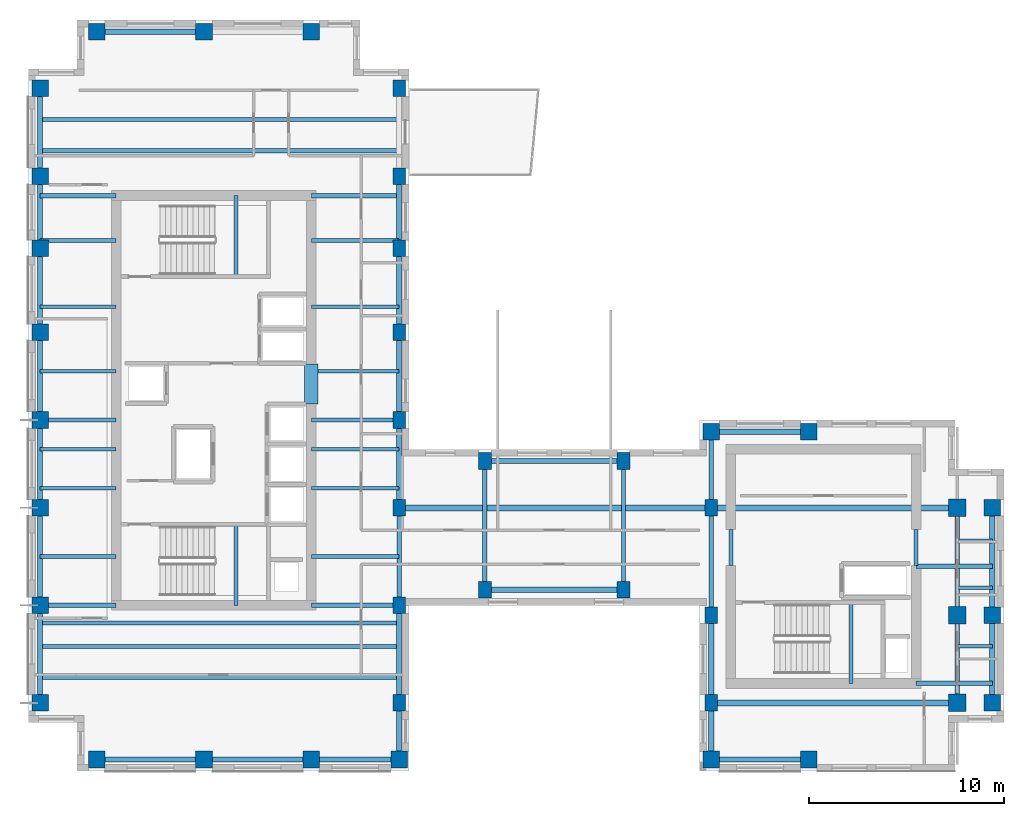
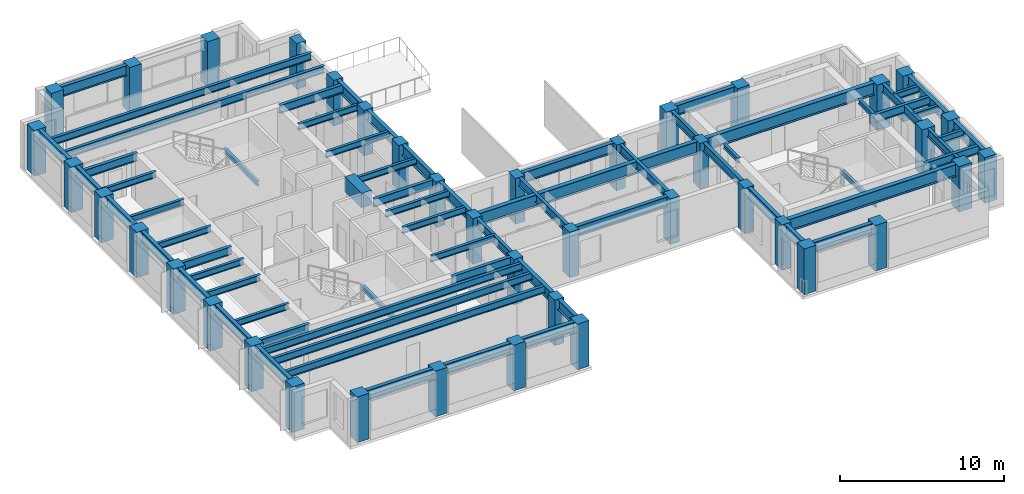
# One storey, part 1 of 10: 69 beams, 40 columns.
"""IFC4 building model written with IfcOpenShell, lengths in metres."""

from ifc_helpers import new_model, si_unit, direction, frame, origin, origin_2d, place, context, subcontext, project, spatial, rectangle, i_section, extrude, source, transform, mapped, material, material_profile, profile_set, type_object, element, save


model = new_model("IFC4")

# Units and contexts
model_context = context("Model", 3, precision=1e-05, world=origin(), true_north=direction((0.0, 1.0)))
body_context = subcontext(model_context, "Body", "Model", "MODEL_VIEW")
ifc_project = project(units=[si_unit("LENGTHUNIT", "METRE"), si_unit("AREAUNIT", "SQUARE_METRE"), si_unit("VOLUMEUNIT", "CUBIC_METRE"), si_unit("PLANEANGLEUNIT", "RADIAN"), si_unit("MASSUNIT", "GRAM", prefix="KILO")], contexts=[model_context])

# Site, building, storey
site_placement = place(None, origin())
site = spatial("IfcSite", under=ifc_project, at=site_placement, CompositionType="ELEMENT")
building_placement = place(site_placement, origin())
building = spatial("IfcBuilding", under=site, at=building_placement, Name="Kharzan Plaza Tower", CompositionType="ELEMENT")
storey_placement = place(building_placement, frame((0.0, 0.0, 223.199951171875)))
storey = spatial("IfcBuildingStorey", under=building, at=storey_placement, Name="L60", CompositionType="ELEMENT", Elevation=223.199951171875)

# Columns
ifc_material_1 = material(Name="Concrete C50/60", Category="concrete")
ifc_material_profile_1 = material_profile(ifc_material_1, rectangle(XDim=0.89990234375, YDim=0.89990234375, at=origin_2d()), Name="RC-IC900x900")
ifc_profile_set_1 = profile_set([ifc_material_profile_1], Name="Concrete C50/60")
column_type_1 = type_object("IfcColumnType", Name="COL-IC900", PredefinedType="COLUMN", material=ifc_profile_set_1)
shared_shape_1 = source(origin(), body_context, "Body", "SweptSolid", [
    extrude(rectangle(XDim=0.89990234375, YDim=0.89990234375, at=origin_2d()), origin(), (0.0, 0.0, 1.0), 3.400146484375),
])
for number, where, z_axis, x_axis, name in (
    (1, (47.60009765625, 13.5, 0.0), (0.0, 0.0, 1.0), (1.0, 0.0, 0.0), "L60 Structural Column TCBI-135"),
    (2, (47.60009765625, 3.5, 0.0), (0.0, 0.0, 1.0), (1.0, 0.0, 0.0), "L60 Structural Column TCBI-35"),
    (3, (47.60009765625, 8.0, 0.0), (0.0, 0.0, 1.0), (1.0, 0.0, 0.0), "L60 Structural Column TCBI-80"),
):
    element("IfcColumn", number, at=place(storey_placement, frame(where, z_axis=z_axis, x_axis=x_axis)), inside=storey, type_object=column_type_1, Name=name, PredefinedType="COLUMN", context=body_context, shape_type="MappedRepresentation", body=[
        mapped(shared_shape_1, transform((0.0, 0.0, 0.0), x_axis=(1.0, 0.0, 0.0), y_axis=(0.0, 1.0, 0.0), z_axis=(0.0, 0.0, 1.0))),
    ])
ifc_material_profile_2 = material_profile(ifc_material_1, rectangle(XDim=0.64990234375, YDim=0.85009765625, at=origin_2d()), Name="RC-SC850x650")
ifc_profile_set_2 = profile_set([ifc_material_profile_2], Name="Concrete C50/60")
column_type_2 = type_object("IfcColumnType", Name="COL-SC850", PredefinedType="COLUMN", material=ifc_profile_set_2)
shared_shape_2 = source(origin(), body_context, "Body", "SweptSolid", [
    extrude(rectangle(XDim=0.64990234375, YDim=0.85009765625, at=origin_2d()), origin(), (0.0, 0.0, 1.0), 3.400146484375),
])
for number, where, z_axis, x_axis, name in (
    (4, (19.0, 13.5, 0.0), (0.0, 0.0, 1.0), (1.0, 0.0, 0.0), "L60 Structural Column TCA-135"),
    (5, (19.0, 18.0, 0.0), (0.0, 0.0, 1.0), (1.0, 0.0, 0.0), "L60 Structural Column TCA-180"),
    (6, (19.0, 22.5, 0.0), (0.0, 0.0, 1.0), (1.0, 0.0, 0.0), "L60 Structural Column TCA-225"),
    (7, (19.0, 26.800048828125, 0.0), (0.0, 0.0, 1.0), (1.0, 0.0, 0.0), "L60 Structural Column TCA-268"),
    (8, (19.0, 30.5, 0.0), (0.0, 0.0, 1.0), (1.0, 0.0, 0.0), "L60 Structural Column TCA-305"),
    (9, (19.0, 3.5, 0.0), (0.0, 0.0, 1.0), (1.0, 0.0, 0.0), "L60 Structural Column TCA-35"),
    (10, (19.0, 35.0, 0.0), (0.0, 0.0, 1.0), (1.0, 0.0, 0.0), "L60 Structural Column TCA-350"),
    (11, (19.0, 8.5, 0.0), (0.0, 0.0, 1.0), (1.0, 0.0, 0.0), "L60 Structural Column TCA-85"),
    (12, (35.0, 13.5, 0.0), (0.0, 0.0, 1.0), (1.0, 0.0, 0.0), "L60 Structural Column TCBS-135"),
    (13, (35.0, 3.5, 0.0), (0.0, 0.0, 1.0), (1.0, 0.0, 0.0), "L60 Structural Column TCBS-35"),
    (14, (35.0, 8.0, 0.0), (0.0, 0.0, 1.0), (1.0, 0.0, 0.0), "L60 Structural Column TCBS-80"),
    (15, (23.39990234375, 15.89990234375, 0.0), (0.0, 0.0, 1.0), (1.0, 0.0, 0.0), "L60 Structural Column TCSP-234-159"),
    (16, (23.39990234375, 9.300048828125, 0.0), (0.0, 0.0, 1.0), (1.0, 0.0, 0.0), "L60 Structural Column TCSP-234-93"),
    (17, (30.5, 15.89990234375, 0.0), (0.0, 0.0, 1.0), (1.0, 0.0, 0.0), "L60 Structural Column TCSP-305-159"),
    (18, (30.5, 9.300048828125, 0.0), (0.0, 0.0, 1.0), (1.0, 0.0, 0.0), "L60 Structural Column TCSP-305-93"),
):
    element("IfcColumn", number, at=place(storey_placement, frame(where, z_axis=z_axis, x_axis=x_axis)), inside=storey, type_object=column_type_2, Name=name, PredefinedType="COLUMN", context=body_context, shape_type="MappedRepresentation", body=[
        mapped(shared_shape_2, transform((0.0, 0.0, 0.0), x_axis=(1.0, 0.0, 0.0), y_axis=(0.0, 1.0, 0.0), z_axis=(0.0, 0.0, 1.0))),
    ])
ifc_material_profile_3 = material_profile(ifc_material_1, rectangle(XDim=0.85009765625, YDim=0.85009765625, at=origin_2d()), Name="RC-TC850x850")
ifc_profile_set_3 = profile_set([ifc_material_profile_3], Name="Concrete C50/60")
column_type_3 = type_object("IfcColumnType", Name="COL-TC850", PredefinedType="COLUMN", material=ifc_profile_set_3)
shared_shape_3 = source(origin(), body_context, "Body", "SweptSolid", [
    extrude(rectangle(XDim=0.85009765625, YDim=0.85009765625, at=origin_2d()), origin(), (0.0, 0.0, 1.0), 3.400146484375),
])
for number, where, z_axis, x_axis, name in (
    (19, (35.0, 17.39990234375, 0.0), (0.0, 0.0, 1.0), (1.0, 0.0, 0.0), "L60 Structural Column TCBN-350-174"),
    (20, (40.0, 17.39990234375, 0.0), (0.0, 0.0, 1.0), (1.0, 0.0, 0.0), "L60 Structural Column TCBN-400-174"),
    (21, (49.39990234375, 13.5, 0.0), (0.0, 0.0, 1.0), (1.0, 0.0, 0.0), "L60 Structural Column TCE-494-135"),
    (22, (49.39990234375, 3.5, 0.0), (0.0, 0.0, 1.0), (1.0, 0.0, 0.0), "L60 Structural Column TCE-494-35"),
    (23, (49.39990234375, 8.0, 0.0), (0.0, 0.0, 1.0), (1.0, 0.0, 0.0), "L60 Structural Column TCE-494-80"),
    (24, (14.5, 37.89990234375, 0.0), (0.0, 0.0, 1.0), (1.0, 0.0, 0.0), "L60 Structural Column TCN-145-379"),
    (25, (3.5, 37.89990234375, 0.0), (0.0, 0.0, 1.0), (1.0, 0.0, 0.0), "L60 Structural Column TCN-35-379"),
    (26, (9.0, 37.89990234375, 0.0), (0.0, 0.0, 1.0), (1.0, 0.0, 0.0), "L60 Structural Column TCN-90-379"),
    (27, (14.5, 0.60009765625, 0.0), (0.0, 0.0, 1.0), (1.0, 0.0, 0.0), "L60 Structural Column TCS-145"),
    (28, (19.0, 0.60009765625, 0.0), (0.0, 0.0, 1.0), (1.0, 0.0, 0.0), "L60 Structural Column TCS-190"),
    (29, (3.5, 0.60009765625, 0.0), (0.0, 0.0, 1.0), (1.0, 0.0, 0.0), "L60 Structural Column TCS-35"),
    (30, (35.0, 0.60009765625, 0.0), (0.0, 0.0, 1.0), (1.0, 0.0, 0.0), "L60 Structural Column TCS-350"),
    (31, (40.0, 0.60009765625, 0.0), (0.0, 0.0, 1.0), (1.0, 0.0, 0.0), "L60 Structural Column TCS-400"),
    (32, (9.0, 0.60009765625, 0.0), (0.0, 0.0, 1.0), (1.0, 0.0, 0.0), "L60 Structural Column TCS-90"),
    (33, (0.60009765625, 13.5, 0.0), (0.0, 0.0, 1.0), (1.0, 0.0, 0.0), "L60 Structural Column TCW-135"),
    (34, (0.60009765625, 18.0, 0.0), (0.0, 0.0, 1.0), (1.0, 0.0, 0.0), "L60 Structural Column TCW-180"),
    (35, (0.60009765625, 22.5, 0.0), (0.0, 0.0, 1.0), (1.0, 0.0, 0.0), "L60 Structural Column TCW-225"),
    (36, (0.60009765625, 26.800048828125, 0.0), (0.0, 0.0, 1.0), (1.0, 0.0, 0.0), "L60 Structural Column TCW-268"),
    (37, (0.60009765625, 30.5, 0.0), (0.0, 0.0, 1.0), (1.0, 0.0, 0.0), "L60 Structural Column TCW-305"),
    (38, (0.60009765625, 3.5, 0.0), (0.0, 0.0, 1.0), (1.0, 0.0, 0.0), "L60 Structural Column TCW-35"),
    (39, (0.60009765625, 35.0, 0.0), (0.0, 0.0, 1.0), (1.0, 0.0, 0.0), "L60 Structural Column TCW-350"),
    (40, (0.60009765625, 8.5, 0.0), (0.0, 0.0, 1.0), (1.0, 0.0, 0.0), "L60 Structural Column TCW-85"),
):
    element("IfcColumn", number, at=place(storey_placement, frame(where, z_axis=z_axis, x_axis=x_axis)), inside=storey, type_object=column_type_3, Name=name, PredefinedType="COLUMN", context=body_context, shape_type="MappedRepresentation", body=[
        mapped(shared_shape_3, transform((0.0, 0.0, 0.0), x_axis=(1.0, 0.0, 0.0), y_axis=(0.0, 1.0, 0.0), z_axis=(0.0, 0.0, 1.0))),
    ])

# Beams
ifc_material_2 = material(Name="Concrete C60/75", Category="concrete")
ifc_material_profile_4 = material_profile(ifc_material_2, rectangle(XDim=0.699951171875, YDim=1.10009765625, at=origin_2d()), Name="RC-CB1100x700")
ifc_profile_set_4 = profile_set([ifc_material_profile_4], Name="Concrete C60/75")
beam_type_1 = type_object("IfcBeamType", Name="BM-RCCB1100", PredefinedType="LINTEL", material=ifc_profile_set_4)
shared_shape_4 = source(origin(), body_context, "Body", "SweptSolid", [
    extrude(rectangle(XDim=0.699951171875, YDim=1.10009765625, at=origin_2d()), origin(), (0.0, 0.0, 1.0), 2.059814453125),
])
beam_1_placement = place(storey_placement, frame((14.5, 18.820068359375, 2.85009765625), z_axis=(0.0, 1.0, 0.0), x_axis=(-1.0, 0.0, 0.0)))
element("IfcBeam", 41, at=beam_1_placement, inside=storey, type_object=beam_type_1, Name="L60 CORE-A RC coupling beam CB1", PredefinedType="LINTEL", context=body_context, shape_type="MappedRepresentation", body=[
    mapped(shared_shape_4, transform((0.0, 0.0, 0.0), x_axis=(1.0, 0.0, 0.0), y_axis=(0.0, 1.0, 0.0), z_axis=(0.0, 0.0, 1.0))),
])
ifc_material_3 = material(Name="Steel S355", Category="steel")
ifc_material_profile_5 = material_profile(ifc_material_3, i_section(OverallWidth=0.205078125, OverallDepth=0.35400390625, WebThickness=0.009521484375, FlangeThickness=0.016845703125, at=origin_2d()), Name="W360x79")
ifc_profile_set_5 = profile_set([ifc_material_profile_5], Name="Steel S355")
beam_type_2 = type_object("IfcBeamType", Name="BM-LNT360", PredefinedType="LINTEL", material=ifc_profile_set_5)
shared_shape_5 = source(origin(), body_context, "Body", "SweptSolid", [
    extrude(i_section(OverallWidth=0.205078125, OverallDepth=0.35400390625, WebThickness=0.009521484375, FlangeThickness=0.016845703125, at=origin_2d()), origin(), (0.0, 0.0, 1.0), 1.849853515625),
])
for number, where, z_axis, x_axis, name in (
    (42, (45.5, 10.550048828125, 3.22314453125), (0.0, 1.0, 0.0), (-1.0, 0.0, 0.0), "L60 CORE-B coupling lintel LN1-WE"),
    (43, (36.0, 10.550048828125, 3.22314453125), (0.0, 1.0, 0.0), (-1.0, 0.0, 0.0), "L60 CORE-B coupling lintel LN1-WW"),
):
    element("IfcBeam", number, at=place(storey_placement, frame(where, z_axis=z_axis, x_axis=x_axis)), inside=storey, type_object=beam_type_2, Name=name, PredefinedType="LINTEL", context=body_context, shape_type="MappedRepresentation", body=[
        mapped(shared_shape_5, transform((0.0, 0.0, 0.0), x_axis=(1.0, 0.0, 0.0), y_axis=(0.0, 1.0, 0.0), z_axis=(0.0, 0.0, 1.0))),
    ])
shared_shape_6 = source(origin(), body_context, "Body", "SweptSolid", [
    extrude(i_section(OverallWidth=0.205078125, OverallDepth=0.35400390625, WebThickness=0.009521484375, FlangeThickness=0.016845703125, at=origin_2d()), origin(), (0.0, 0.0, 1.0), 4.155029296875),
])
for number, where, z_axis, x_axis, name in (
    (44, (10.64990234375, 8.5, 1.423095703125), (0.0, 1.0, 0.0), (-1.0, 0.0, 0.0), "L60 Stair ST-1 Half-Landing Beam"),
    (45, (10.64990234375, 25.344970703125, 1.423095703125), (0.0, 1.0, 0.0), (-1.0, 0.0, 0.0), "L60 Stair ST-2 Half-Landing Beam"),
    (46, (42.14990234375, 4.5, 1.423095703125), (0.0, 1.0, 0.0), (-1.0, 0.0, 0.0), "L60 Stair ST-3 Half-Landing Beam"),
):
    element("IfcBeam", number, at=place(storey_placement, frame(where, z_axis=z_axis, x_axis=x_axis)), inside=storey, type_object=beam_type_2, Name=name, PredefinedType="LINTEL", context=body_context, shape_type="MappedRepresentation", body=[
        mapped(shared_shape_6, transform((0.0, 0.0, 0.0), x_axis=(1.0, 0.0, 0.0), y_axis=(0.0, 1.0, 0.0), z_axis=(0.0, 0.0, 1.0))),
    ])
ifc_material_profile_6 = material_profile(ifc_material_3, i_section(OverallWidth=0.304931640625, OverallDepth=0.9189453125, WebThickness=0.017333984375, FlangeThickness=0.02783203125, at=origin_2d()), Name="W920x253")
ifc_profile_set_6 = profile_set([ifc_material_profile_6], Name="Steel S355")
beam_type_3 = type_object("IfcBeamType", Name="BM-FG920B", PredefinedType="BEAM", material=ifc_profile_set_6)
shared_shape_7 = source(origin(), body_context, "Body", "SweptSolid", [
    extrude(i_section(OverallWidth=0.304931640625, OverallDepth=0.9189453125, WebThickness=0.017333984375, FlangeThickness=0.02783203125, at=origin_2d()), origin(), (0.0, 0.0, 1.0), 12.60009765625),
])
for number, where, z_axis, x_axis, name in (
    (47, (35.0, 3.5, 2.9404296875), (1.0, 0.0, 0.0), (0.0, 1.0, 0.0), "L60 Primary Floor Girder"),
    (48, (35.0, 13.5, 2.9404296875), (1.0, 0.0, 0.0), (0.0, 1.0, 0.0), "L60 Primary Floor Girder"),
):
    element("IfcBeam", number, at=place(storey_placement, frame(where, z_axis=z_axis, x_axis=x_axis)), inside=storey, type_object=beam_type_3, Name=name, PredefinedType="BEAM", context=body_context, shape_type="MappedRepresentation", body=[
        mapped(shared_shape_7, transform((0.0, 0.0, 0.0), x_axis=(1.0, 0.0, 0.0), y_axis=(0.0, 1.0, 0.0), z_axis=(0.0, 0.0, 1.0))),
    ])
shared_shape_8 = source(origin(), body_context, "Body", "SweptSolid", [
    extrude(i_section(OverallWidth=0.304931640625, OverallDepth=0.9189453125, WebThickness=0.017333984375, FlangeThickness=0.02783203125, at=origin_2d()), origin(), (0.0, 0.0, 1.0), 16.0),
])
beam_2_placement = place(storey_placement, frame((19.0, 13.5, 2.9404296875), z_axis=(1.0, 0.0, 0.0), x_axis=(0.0, 1.0, 0.0)))
element("IfcBeam", 49, at=beam_2_placement, inside=storey, type_object=beam_type_3, Name="L60 Primary Floor Girder", PredefinedType="BEAM", context=body_context, shape_type="MappedRepresentation", body=[
    mapped(shared_shape_8, transform((0.0, 0.0, 0.0), x_axis=(1.0, 0.0, 0.0), y_axis=(0.0, 1.0, 0.0), z_axis=(0.0, 0.0, 1.0))),
])
ifc_material_profile_7 = material_profile(ifc_material_3, i_section(OverallWidth=0.2099609375, OverallDepth=0.537109375, WebThickness=0.010986328125, FlangeThickness=0.017333984375, at=origin_2d()), Name="W530x101")
ifc_profile_set_7 = profile_set([ifc_material_profile_7], Name="Steel S355")
beam_type_4 = type_object("IfcBeamType", Name="BM-JST530B", PredefinedType="JOIST", material=ifc_profile_set_7)
shared_shape_9 = source(origin(), body_context, "Body", "SweptSolid", [
    extrude(i_section(OverallWidth=0.2099609375, OverallDepth=0.537109375, WebThickness=0.010986328125, FlangeThickness=0.017333984375, at=origin_2d()), origin(), (0.0, 0.0, 1.0), 18.39990234375),
])
for number, where, z_axis, x_axis, name in (
    (50, (0.60009765625, 4.800048828125, 3.131591796875), (1.0, 0.0, 0.0), (0.0, 1.0, 0.0), "L60 Wing A Composite Joist 01"),
    (51, (0.60009765625, 6.39990234375, 3.131591796875), (1.0, 0.0, 0.0), (0.0, 1.0, 0.0), "L60 Wing A Composite Joist 02"),
    (52, (0.60009765625, 7.60009765625, 3.131591796875), (1.0, 0.0, 0.0), (0.0, 1.0, 0.0), "L60 Wing A Composite Joist 03"),
    (53, (0.60009765625, 31.800048828125, 3.131591796875), (1.0, 0.0, 0.0), (0.0, 1.0, 0.0), "L60 Wing A Composite Joist 04"),
    (54, (0.60009765625, 33.39990234375, 3.131591796875), (1.0, 0.0, 0.0), (0.0, 1.0, 0.0), "L60 Wing A Composite Joist 05"),
):
    element("IfcBeam", number, at=place(storey_placement, frame(where, z_axis=z_axis, x_axis=x_axis)), inside=storey, type_object=beam_type_4, Name=name, PredefinedType="JOIST", context=body_context, shape_type="MappedRepresentation", body=[
        mapped(shared_shape_9, transform((0.0, 0.0, 0.0), x_axis=(1.0, 0.0, 0.0), y_axis=(0.0, 1.0, 0.0), z_axis=(0.0, 0.0, 1.0))),
    ])
ifc_material_profile_8 = material_profile(ifc_material_3, i_section(OverallWidth=0.194091796875, OverallDepth=0.468994140625, WebThickness=0.011474609375, FlangeThickness=0.0205078125, at=origin_2d()), Name="W460x106")
ifc_profile_set_8 = profile_set([ifc_material_profile_8], Name="Steel S355")
beam_type_5 = type_object("IfcBeamType", Name="BM-JST460", PredefinedType="JOIST", material=ifc_profile_set_8)
shared_shape_10 = source(origin(), body_context, "Body", "SweptSolid", [
    extrude(i_section(OverallWidth=0.194091796875, OverallDepth=0.468994140625, WebThickness=0.011474609375, FlangeThickness=0.0205078125, at=origin_2d()), origin(), (0.0, 0.0, 1.0), 4.5),
])
for number, where, z_axis, x_axis, name in (
    (55, (14.5, 11.0, 3.16552734375), (1.0, 0.0, 0.0), (0.0, 1.0, 0.0), "L60 Wing A East Infill Joist 1"),
    (56, (14.5, 14.5, 3.16552734375), (1.0, 0.0, 0.0), (0.0, 1.0, 0.0), "L60 Wing A East Infill Joist 2"),
    (57, (14.5, 16.5, 3.16552734375), (1.0, 0.0, 0.0), (0.0, 1.0, 0.0), "L60 Wing A East Infill Joist 3"),
    (58, (14.5, 20.5, 3.16552734375), (1.0, 0.0, 0.0), (0.0, 1.0, 0.0), "L60 Wing A East Infill Joist 4"),
    (59, (14.5, 23.800048828125, 3.16552734375), (1.0, 0.0, 0.0), (0.0, 1.0, 0.0), "L60 Wing A East Infill Joist 5"),
    (60, (14.5, 27.199951171875, 3.16552734375), (1.0, 0.0, 0.0), (0.0, 1.0, 0.0), "L60 Wing A East Infill Joist 6"),
):
    element("IfcBeam", number, at=place(storey_placement, frame(where, z_axis=z_axis, x_axis=x_axis)), inside=storey, type_object=beam_type_5, Name=name, PredefinedType="JOIST", context=body_context, shape_type="MappedRepresentation", body=[
        mapped(shared_shape_10, transform((0.0, 0.0, 0.0), x_axis=(1.0, 0.0, 0.0), y_axis=(0.0, 1.0, 0.0), z_axis=(0.0, 0.0, 1.0))),
    ])
shared_shape_11 = source(origin(), body_context, "Body", "SweptSolid", [
    extrude(i_section(OverallWidth=0.194091796875, OverallDepth=0.468994140625, WebThickness=0.011474609375, FlangeThickness=0.0205078125, at=origin_2d()), origin(), (0.0, 0.0, 1.0), 3.89990234375),
])
for number, where, z_axis, x_axis, name in (
    (61, (0.60009765625, 11.0, 3.16552734375), (1.0, 0.0, 0.0), (0.0, 1.0, 0.0), "L60 Wing A West Infill Joist 1"),
    (62, (0.60009765625, 14.5, 3.16552734375), (1.0, 0.0, 0.0), (0.0, 1.0, 0.0), "L60 Wing A West Infill Joist 2"),
    (63, (0.60009765625, 16.5, 3.16552734375), (1.0, 0.0, 0.0), (0.0, 1.0, 0.0), "L60 Wing A West Infill Joist 3"),
    (64, (0.60009765625, 20.5, 3.16552734375), (1.0, 0.0, 0.0), (0.0, 1.0, 0.0), "L60 Wing A West Infill Joist 4"),
    (65, (0.60009765625, 23.800048828125, 3.16552734375), (1.0, 0.0, 0.0), (0.0, 1.0, 0.0), "L60 Wing A West Infill Joist 5"),
    (66, (0.60009765625, 27.199951171875, 3.16552734375), (1.0, 0.0, 0.0), (0.0, 1.0, 0.0), "L60 Wing A West Infill Joist 6"),
):
    element("IfcBeam", number, at=place(storey_placement, frame(where, z_axis=z_axis, x_axis=x_axis)), inside=storey, type_object=beam_type_5, Name=name, PredefinedType="JOIST", context=body_context, shape_type="MappedRepresentation", body=[
        mapped(shared_shape_11, transform((0.0, 0.0, 0.0), x_axis=(1.0, 0.0, 0.0), y_axis=(0.0, 1.0, 0.0), z_axis=(0.0, 0.0, 1.0))),
    ])
ifc_material_profile_9 = material_profile(ifc_material_3, i_section(OverallWidth=0.22900390625, OverallDepth=0.612060546875, WebThickness=0.011962890625, FlangeThickness=0.01953125, at=origin_2d()), Name="W610x125")
ifc_profile_set_9 = profile_set([ifc_material_profile_9], Name="Steel S355")
beam_type_6 = type_object("IfcBeamType", Name="BM-FG610B", PredefinedType="BEAM", material=ifc_profile_set_9)
shared_shape_12 = source(origin(), body_context, "Body", "SweptSolid", [
    extrude(i_section(OverallWidth=0.22900390625, OverallDepth=0.612060546875, WebThickness=0.011962890625, FlangeThickness=0.01953125, at=origin_2d()), origin(), (0.0, 0.0, 1.0), 4.5),
])
for number, where, z_axis, x_axis, name in (
    (67, (14.5, 8.5, 3.093994140625), (1.0, 0.0, 0.0), (0.0, 1.0, 0.0), "L60 Core-A East Floor Girder 1"),
    (68, (14.5, 18.0, 3.093994140625), (1.0, 0.0, 0.0), (0.0, 1.0, 0.0), "L60 Core-A East Floor Girder 2"),
    (69, (14.5, 29.5, 3.093994140625), (1.0, 0.0, 0.0), (0.0, 1.0, 0.0), "L60 Core-A East Floor Girder 3"),
    (70, (47.60009765625, 3.5, 3.093994140625), (0.0, 1.0, 0.0), (-1.0, 0.0, 0.0), "L60 Interior Frame Girder"),
):
    element("IfcBeam", number, at=place(storey_placement, frame(where, z_axis=z_axis, x_axis=x_axis)), inside=storey, type_object=beam_type_6, Name=name, PredefinedType="BEAM", context=body_context, shape_type="MappedRepresentation", body=[
        mapped(shared_shape_12, transform((0.0, 0.0, 0.0), x_axis=(1.0, 0.0, 0.0), y_axis=(0.0, 1.0, 0.0), z_axis=(0.0, 0.0, 1.0))),
    ])
shared_shape_13 = source(origin(), body_context, "Body", "SweptSolid", [
    extrude(i_section(OverallWidth=0.22900390625, OverallDepth=0.612060546875, WebThickness=0.011962890625, FlangeThickness=0.01953125, at=origin_2d()), origin(), (0.0, 0.0, 1.0), 3.89990234375),
])
for number, where, z_axis, x_axis, name in (
    (71, (0.60009765625, 8.5, 3.093994140625), (1.0, 0.0, 0.0), (0.0, 1.0, 0.0), "L60 Core-A West Floor Girder 1"),
    (72, (0.60009765625, 18.0, 3.093994140625), (1.0, 0.0, 0.0), (0.0, 1.0, 0.0), "L60 Core-A West Floor Girder 2"),
    (73, (0.60009765625, 29.5, 3.093994140625), (1.0, 0.0, 0.0), (0.0, 1.0, 0.0), "L60 Core-A West Floor Girder 3"),
    (74, (45.5, 4.5, 3.093994140625), (1.0, 0.0, 0.0), (0.0, 1.0, 0.0), "L60 Core-B East Floor Girder 1"),
    (75, (45.5, 10.5, 3.093994140625), (1.0, 0.0, 0.0), (0.0, 1.0, 0.0), "L60 Core-B East Floor Girder 2"),
    (76, (35.0, 13.5, 3.093994140625), (0.0, 1.0, 0.0), (-1.0, 0.0, 0.0), "L60 Interior Frame Girder"),
):
    element("IfcBeam", number, at=place(storey_placement, frame(where, z_axis=z_axis, x_axis=x_axis)), inside=storey, type_object=beam_type_6, Name=name, PredefinedType="BEAM", context=body_context, shape_type="MappedRepresentation", body=[
        mapped(shared_shape_13, transform((0.0, 0.0, 0.0), x_axis=(1.0, 0.0, 0.0), y_axis=(0.0, 1.0, 0.0), z_axis=(0.0, 0.0, 1.0))),
    ])
shared_shape_14 = source(origin(), body_context, "Body", "SweptSolid", [
    extrude(i_section(OverallWidth=0.22900390625, OverallDepth=0.612060546875, WebThickness=0.011962890625, FlangeThickness=0.01953125, at=origin_2d()), origin(), (0.0, 0.0, 1.0), 5.0),
])
beam_3_placement = place(storey_placement, frame((19.0, 8.5, 3.093994140625), z_axis=(0.0, 1.0, 0.0), x_axis=(-1.0, 0.0, 0.0)))
element("IfcBeam", 77, at=beam_3_placement, inside=storey, type_object=beam_type_6, Name="L60 Interior Frame Girder", PredefinedType="BEAM", context=body_context, shape_type="MappedRepresentation", body=[
    mapped(shared_shape_14, transform((0.0, 0.0, 0.0), x_axis=(1.0, 0.0, 0.0), y_axis=(0.0, 1.0, 0.0), z_axis=(0.0, 0.0, 1.0))),
])
shared_shape_15 = source(origin(), body_context, "Body", "SweptSolid", [
    extrude(i_section(OverallWidth=0.22900390625, OverallDepth=0.612060546875, WebThickness=0.011962890625, FlangeThickness=0.01953125, at=origin_2d()), origin(), (0.0, 0.0, 1.0), 6.599853515625),
])
for number, where, z_axis, x_axis, name in (
    (78, (23.39990234375, 9.300048828125, 3.093994140625), (0.0, 1.0, 0.0), (-1.0, 0.0, 0.0), "L60 Interior Frame Girder"),
    (79, (30.5, 9.300048828125, 3.093994140625), (0.0, 1.0, 0.0), (-1.0, 0.0, 0.0), "L60 Interior Frame Girder"),
):
    element("IfcBeam", number, at=place(storey_placement, frame(where, z_axis=z_axis, x_axis=x_axis)), inside=storey, type_object=beam_type_6, Name=name, PredefinedType="BEAM", context=body_context, shape_type="MappedRepresentation", body=[
        mapped(shared_shape_15, transform((0.0, 0.0, 0.0), x_axis=(1.0, 0.0, 0.0), y_axis=(0.0, 1.0, 0.0), z_axis=(0.0, 0.0, 1.0))),
    ])
shared_shape_16 = source(origin(), body_context, "Body", "SweptSolid", [
    extrude(i_section(OverallWidth=0.22900390625, OverallDepth=0.612060546875, WebThickness=0.011962890625, FlangeThickness=0.01953125, at=origin_2d()), origin(), (0.0, 0.0, 1.0), 5.5),
])
for number, where, z_axis, x_axis, name in (
    (80, (35.0, 8.0, 3.093994140625), (0.0, 1.0, 0.0), (-1.0, 0.0, 0.0), "L60 Interior Frame Girder"),
    (81, (47.60009765625, 8.0, 3.093994140625), (0.0, 1.0, 0.0), (-1.0, 0.0, 0.0), "L60 Interior Frame Girder"),
):
    element("IfcBeam", number, at=place(storey_placement, frame(where, z_axis=z_axis, x_axis=x_axis)), inside=storey, type_object=beam_type_6, Name=name, PredefinedType="BEAM", context=body_context, shape_type="MappedRepresentation", body=[
        mapped(shared_shape_16, transform((0.0, 0.0, 0.0), x_axis=(1.0, 0.0, 0.0), y_axis=(0.0, 1.0, 0.0), z_axis=(0.0, 0.0, 1.0))),
    ])
shared_shape_17 = source(origin(), body_context, "Body", "SweptSolid", [
    extrude(i_section(OverallWidth=0.194091796875, OverallDepth=0.468994140625, WebThickness=0.011474609375, FlangeThickness=0.0205078125, at=origin_2d()), origin(), (0.0, 0.0, 1.0), 1.7998046875),
])
for number, where, z_axis, x_axis, name in (
    (82, (47.60009765625, 6.39990234375, 3.16552734375), (1.0, 0.0, 0.0), (0.0, 1.0, 0.0), "L60 Wing B Composite Joist 02"),
    (83, (47.60009765625, 9.39990234375, 3.16552734375), (1.0, 0.0, 0.0), (0.0, 1.0, 0.0), "L60 Wing B Composite Joist 03"),
    (84, (47.60009765625, 11.800048828125, 3.16552734375), (1.0, 0.0, 0.0), (0.0, 1.0, 0.0), "L60 Wing B Composite Joist 04"),
):
    element("IfcBeam", number, at=place(storey_placement, frame(where, z_axis=z_axis, x_axis=x_axis)), inside=storey, type_object=beam_type_5, Name=name, PredefinedType="JOIST", context=body_context, shape_type="MappedRepresentation", body=[
        mapped(shared_shape_17, transform((0.0, 0.0, 0.0), x_axis=(1.0, 0.0, 0.0), y_axis=(0.0, 1.0, 0.0), z_axis=(0.0, 0.0, 1.0))),
    ])
ifc_material_profile_10 = material_profile(ifc_material_3, i_section(OverallWidth=0.26708984375, OverallDepth=0.76611328125, WebThickness=0.014892578125, FlangeThickness=0.023681640625, at=origin_2d()), Name="W760x185")
ifc_profile_set_10 = profile_set([ifc_material_profile_10], Name="Steel S355")
beam_type_7 = type_object("IfcBeamType", Name="BM-SP760B", PredefinedType="SPANDREL", material=ifc_profile_set_10)
shared_shape_18 = source(origin(), body_context, "Body", "SweptSolid", [
    extrude(i_section(OverallWidth=0.26708984375, OverallDepth=0.76611328125, WebThickness=0.014892578125, FlangeThickness=0.023681640625, at=origin_2d()), origin(), (0.0, 0.0, 1.0), 5.0),
])
for number, where, z_axis, x_axis, name in (
    (85, (0.60009765625, 3.5, 3.01708984375), (0.0, 1.0, 0.0), (-1.0, 0.0, 0.0), "L60 Perimeter Tube Spandrel"),
    (86, (0.60009765625, 8.5, 3.01708984375), (0.0, 1.0, 0.0), (-1.0, 0.0, 0.0), "L60 Perimeter Tube Spandrel"),
    (87, (19.0, 3.5, 3.01708984375), (0.0, 1.0, 0.0), (-1.0, 0.0, 0.0), "L60 Perimeter Tube Spandrel"),
    (88, (35.0, 0.60009765625, 3.01708984375), (1.0, 0.0, 0.0), (0.0, 1.0, 0.0), "L60 Perimeter Tube Spandrel"),
    (89, (35.0, 17.39990234375, 3.01708984375), (1.0, 0.0, 0.0), (0.0, 1.0, 0.0), "L60 Perimeter Tube Spandrel"),
):
    element("IfcBeam", number, at=place(storey_placement, frame(where, z_axis=z_axis, x_axis=x_axis)), inside=storey, type_object=beam_type_7, Name=name, PredefinedType="SPANDREL", context=body_context, shape_type="MappedRepresentation", body=[
        mapped(shared_shape_18, transform((0.0, 0.0, 0.0), x_axis=(1.0, 0.0, 0.0), y_axis=(0.0, 1.0, 0.0), z_axis=(0.0, 0.0, 1.0))),
    ])
shared_shape_19 = source(origin(), body_context, "Body", "SweptSolid", [
    extrude(i_section(OverallWidth=0.26708984375, OverallDepth=0.76611328125, WebThickness=0.014892578125, FlangeThickness=0.023681640625, at=origin_2d()), origin(), (0.0, 0.0, 1.0), 4.5),
])
for number, where, z_axis, x_axis, name in (
    (90, (0.60009765625, 13.5, 3.01708984375), (0.0, 1.0, 0.0), (-1.0, 0.0, 0.0), "L60 Perimeter Tube Spandrel"),
    (91, (0.60009765625, 18.0, 3.01708984375), (0.0, 1.0, 0.0), (-1.0, 0.0, 0.0), "L60 Perimeter Tube Spandrel"),
    (92, (0.60009765625, 30.5, 3.01708984375), (0.0, 1.0, 0.0), (-1.0, 0.0, 0.0), "L60 Perimeter Tube Spandrel"),
    (93, (19.0, 13.5, 3.01708984375), (0.0, 1.0, 0.0), (-1.0, 0.0, 0.0), "L60 Perimeter Tube Spandrel"),
    (94, (19.0, 18.0, 3.01708984375), (0.0, 1.0, 0.0), (-1.0, 0.0, 0.0), "L60 Perimeter Tube Spandrel"),
    (95, (35.0, 3.5, 3.01708984375), (0.0, 1.0, 0.0), (-1.0, 0.0, 0.0), "L60 Perimeter Tube Spandrel"),
    (96, (49.39990234375, 3.5, 3.01708984375), (0.0, 1.0, 0.0), (-1.0, 0.0, 0.0), "L60 Perimeter Tube Spandrel"),
    (97, (14.5, 0.60009765625, 3.01708984375), (1.0, 0.0, 0.0), (0.0, 1.0, 0.0), "L60 Perimeter Tube Spandrel"),
):
    element("IfcBeam", number, at=place(storey_placement, frame(where, z_axis=z_axis, x_axis=x_axis)), inside=storey, type_object=beam_type_7, Name=name, PredefinedType="SPANDREL", context=body_context, shape_type="MappedRepresentation", body=[
        mapped(shared_shape_19, transform((0.0, 0.0, 0.0), x_axis=(1.0, 0.0, 0.0), y_axis=(0.0, 1.0, 0.0), z_axis=(0.0, 0.0, 1.0))),
    ])
shared_shape_20 = source(origin(), body_context, "Body", "SweptSolid", [
    extrude(i_section(OverallWidth=0.26708984375, OverallDepth=0.76611328125, WebThickness=0.014892578125, FlangeThickness=0.023681640625, at=origin_2d()), origin(), (0.0, 0.0, 1.0), 4.300048828125),
])
for number, where, z_axis, x_axis, name in (
    (98, (0.60009765625, 22.5, 3.01708984375), (0.0, 1.0, 0.0), (-1.0, 0.0, 0.0), "L60 Perimeter Tube Spandrel"),
    (99, (19.0, 22.5, 3.01708984375), (0.0, 1.0, 0.0), (-1.0, 0.0, 0.0), "L60 Perimeter Tube Spandrel"),
):
    element("IfcBeam", number, at=place(storey_placement, frame(where, z_axis=z_axis, x_axis=x_axis)), inside=storey, type_object=beam_type_7, Name=name, PredefinedType="SPANDREL", context=body_context, shape_type="MappedRepresentation", body=[
        mapped(shared_shape_20, transform((0.0, 0.0, 0.0), x_axis=(1.0, 0.0, 0.0), y_axis=(0.0, 1.0, 0.0), z_axis=(0.0, 0.0, 1.0))),
    ])
shared_shape_21 = source(origin(), body_context, "Body", "SweptSolid", [
    extrude(i_section(OverallWidth=0.26708984375, OverallDepth=0.76611328125, WebThickness=0.014892578125, FlangeThickness=0.023681640625, at=origin_2d()), origin(), (0.0, 0.0, 1.0), 3.699951171875),
])
for number, where, z_axis, x_axis, name in (
    (100, (0.60009765625, 26.800048828125, 3.01708984375), (0.0, 1.0, 0.0), (-1.0, 0.0, 0.0), "L60 Perimeter Tube Spandrel"),
    (101, (19.0, 26.800048828125, 3.01708984375), (0.0, 1.0, 0.0), (-1.0, 0.0, 0.0), "L60 Perimeter Tube Spandrel"),
):
    element("IfcBeam", number, at=place(storey_placement, frame(where, z_axis=z_axis, x_axis=x_axis)), inside=storey, type_object=beam_type_7, Name=name, PredefinedType="SPANDREL", context=body_context, shape_type="MappedRepresentation", body=[
        mapped(shared_shape_21, transform((0.0, 0.0, 0.0), x_axis=(1.0, 0.0, 0.0), y_axis=(0.0, 1.0, 0.0), z_axis=(0.0, 0.0, 1.0))),
    ])
shared_shape_22 = source(origin(), body_context, "Body", "SweptSolid", [
    extrude(i_section(OverallWidth=0.26708984375, OverallDepth=0.76611328125, WebThickness=0.014892578125, FlangeThickness=0.023681640625, at=origin_2d()), origin(), (0.0, 0.0, 1.0), 2.89990234375),
])
for number, where, z_axis, x_axis, name in (
    (102, (19.0, 0.60009765625, 3.01708984375), (0.0, 1.0, 0.0), (-1.0, 0.0, 0.0), "L60 Perimeter Tube Spandrel"),
    (103, (35.0, 0.60009765625, 3.01708984375), (0.0, 1.0, 0.0), (-1.0, 0.0, 0.0), "L60 Perimeter Tube Spandrel"),
):
    element("IfcBeam", number, at=place(storey_placement, frame(where, z_axis=z_axis, x_axis=x_axis)), inside=storey, type_object=beam_type_7, Name=name, PredefinedType="SPANDREL", context=body_context, shape_type="MappedRepresentation", body=[
        mapped(shared_shape_22, transform((0.0, 0.0, 0.0), x_axis=(1.0, 0.0, 0.0), y_axis=(0.0, 1.0, 0.0), z_axis=(0.0, 0.0, 1.0))),
    ])
shared_shape_23 = source(origin(), body_context, "Body", "SweptSolid", [
    extrude(i_section(OverallWidth=0.26708984375, OverallDepth=0.76611328125, WebThickness=0.014892578125, FlangeThickness=0.023681640625, at=origin_2d()), origin(), (0.0, 0.0, 1.0), 5.5),
])
for number, where, z_axis, x_axis, name in (
    (104, (49.39990234375, 8.0, 3.01708984375), (0.0, 1.0, 0.0), (-1.0, 0.0, 0.0), "L60 Perimeter Tube Spandrel"),
    (105, (3.5, 0.60009765625, 3.01708984375), (1.0, 0.0, 0.0), (0.0, 1.0, 0.0), "L60 Perimeter Tube Spandrel"),
    (106, (9.0, 0.60009765625, 3.01708984375), (1.0, 0.0, 0.0), (0.0, 1.0, 0.0), "L60 Perimeter Tube Spandrel"),
    (107, (3.5, 37.89990234375, 3.01708984375), (1.0, 0.0, 0.0), (0.0, 1.0, 0.0), "L60 Perimeter Tube Spandrel"),
):
    element("IfcBeam", number, at=place(storey_placement, frame(where, z_axis=z_axis, x_axis=x_axis)), inside=storey, type_object=beam_type_7, Name=name, PredefinedType="SPANDREL", context=body_context, shape_type="MappedRepresentation", body=[
        mapped(shared_shape_23, transform((0.0, 0.0, 0.0), x_axis=(1.0, 0.0, 0.0), y_axis=(0.0, 1.0, 0.0), z_axis=(0.0, 0.0, 1.0))),
    ])
shared_shape_24 = source(origin(), body_context, "Body", "SweptSolid", [
    extrude(i_section(OverallWidth=0.26708984375, OverallDepth=0.76611328125, WebThickness=0.014892578125, FlangeThickness=0.023681640625, at=origin_2d()), origin(), (0.0, 0.0, 1.0), 7.10009765625),
])
for number, where, z_axis, x_axis, name in (
    (108, (23.39990234375, 9.300048828125, 3.01708984375), (1.0, 0.0, 0.0), (0.0, 1.0, 0.0), "L60 Perimeter Tube Spandrel"),
    (109, (23.39990234375, 15.89990234375, 3.01708984375), (1.0, 0.0, 0.0), (0.0, 1.0, 0.0), "L60 Perimeter Tube Spandrel"),
):
    element("IfcBeam", number, at=place(storey_placement, frame(where, z_axis=z_axis, x_axis=x_axis)), inside=storey, type_object=beam_type_7, Name=name, PredefinedType="SPANDREL", context=body_context, shape_type="MappedRepresentation", body=[
        mapped(shared_shape_24, transform((0.0, 0.0, 0.0), x_axis=(1.0, 0.0, 0.0), y_axis=(0.0, 1.0, 0.0), z_axis=(0.0, 0.0, 1.0))),
    ])

save(model, "model.ifc")
